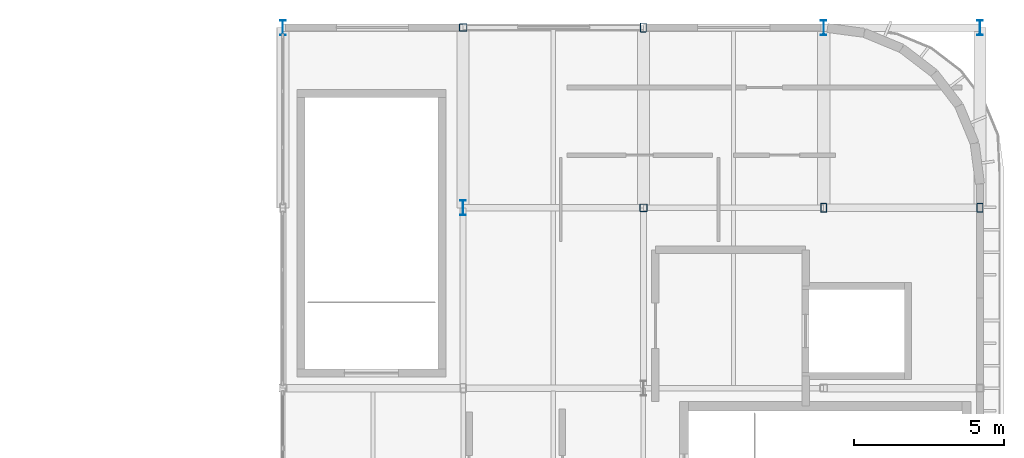
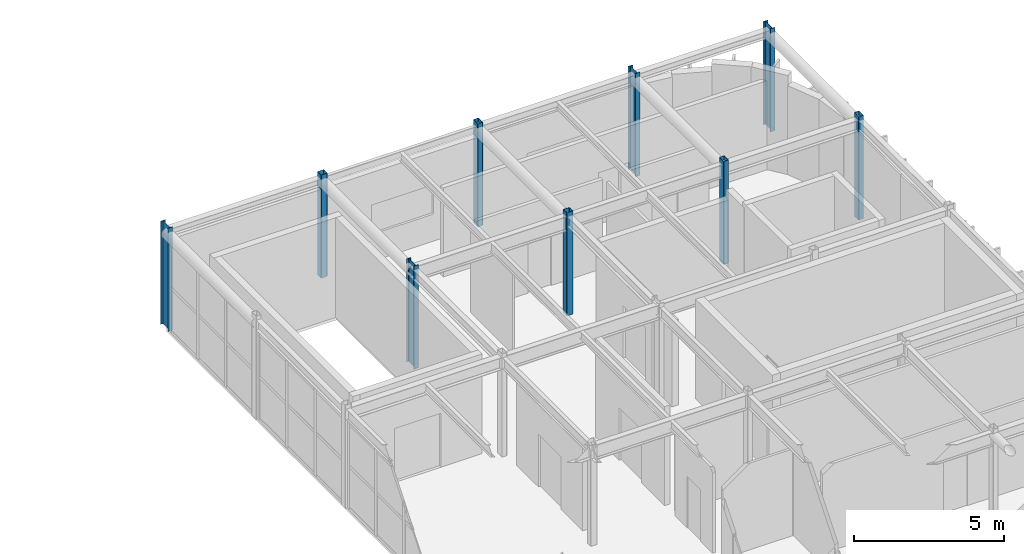
# One storey, part 3 of 14: 9 columns.
"""IFC4 building model written with IfcOpenShell, lengths in metres."""

from ifc_helpers import new_model, si_unit, direction, frame, origin, origin_2d, place, context, subcontext, project, spatial, hollow_rectangle, i_section, extrude, material, material_profile, profile_set, type_object, element, save


model = new_model("IFC4")

# Units and contexts
model_context = context("Model", 3, precision=1e-05, world=origin(), true_north=direction((0.0, 1.0)))
body_context = subcontext(model_context, "Body", "Model", "MODEL_VIEW")
ifc_project = project(units=[si_unit("LENGTHUNIT", "METRE"), si_unit("AREAUNIT", "SQUARE_METRE"), si_unit("VOLUMEUNIT", "CUBIC_METRE"), si_unit("PLANEANGLEUNIT", "RADIAN"), si_unit("MASSUNIT", "GRAM", prefix="KILO")], contexts=[model_context])

# Site, building, storey
site_placement = place(None, origin())
site = spatial("IfcSite", under=ifc_project, at=site_placement, CompositionType="ELEMENT")
building_placement = place(site_placement, origin())
building = spatial("IfcBuilding", under=site, at=building_placement, Name="Varnakota Square Police Headquarters", CompositionType="ELEMENT")
storey_placement = place(building_placement, frame((0.0, 0.0, 30.0)))
storey = spatial("IfcBuildingStorey", under=building, at=storey_placement, Name="L07", CompositionType="ELEMENT", Elevation=30.0)

# Columns
ifc_material = material(Name="Steel IS 2062 Grade 350", Category="steel")
ifc_material_profile_1 = material_profile(ifc_material, i_section(OverallWidth=0.179931640625, OverallDepth=0.5, WebThickness=0.01025390625, FlangeThickness=0.01708984375, FilletRadius=0.01708984375, at=origin_2d()), Name="ISMB 500")
ifc_profile_set_1 = profile_set([ifc_material_profile_1], Name="Steel IS 2062 Grade 350")
column_type_1 = type_object("IfcColumnType", Name="COL-ISMB500", PredefinedType="COLUMN", material=ifc_profile_set_1)
for number, where, z_axis, x_axis, name in (
    (1, (138.0, 39.0, 0.0), (0.0, 0.0, 1.0), (1.0, 0.0, 0.0), "Column X1380-Y0390 L07"),
    (2, (144.0, 33.0, 0.0), (0.0, 0.0, 1.0), (1.0, 0.0, 0.0), "Column X1440-Y0330 L07"),
    (3, (156.0, 39.0, 0.0), (0.0, 0.0, 1.0), (1.0, 0.0, 0.0), "Column X1560-Y0390 L07"),
    (4, (161.199951171875, 39.0, 0.0), (0.0, 0.0, 1.0), (1.0, 0.0, 0.0), "Column X1612-Y0390 L07"),
):
    element("IfcColumn", number, at=place(storey_placement, frame(where, z_axis=z_axis, x_axis=x_axis)), inside=storey, type_object=column_type_1, Name=name, PredefinedType="COLUMN", context=body_context, shape_type="SweptSolid", body=[
        extrude(i_section(OverallWidth=0.179931640625, OverallDepth=0.5, WebThickness=0.01025390625, FlangeThickness=0.01708984375, FilletRadius=0.01708984375, at=origin_2d()), origin(), (0.0, 0.0, 1.0), 4.199951171875),
    ])
ifc_material_profile_2 = material_profile(ifc_material, hollow_rectangle(XDim=0.199951171875, YDim=0.300048828125, WallThickness=0.011962890625, InnerFilletRadius=0.011962890625, OuterFilletRadius=0.02392578125, at=origin_2d()), Name="RHS 300x200x12")
ifc_profile_set_2 = profile_set([ifc_material_profile_2], Name="Steel IS 2062 Grade 350")
column_type_2 = type_object("IfcColumnType", Name="COL-RHS300", PredefinedType="COLUMN", material=ifc_profile_set_2)
for number, where, z_axis, x_axis, name in (
    (5, (150.0, 39.0, 0.0), (0.0, 0.0, 1.0), (1.0, 0.0, 0.0), "Column X1500-Y0390 L07"),
    (6, (156.0, 33.0, 0.0), (0.0, 0.0, 1.0), (1.0, 0.0, 0.0), "Column X1560-Y0330 L07"),
    (7, (161.199951171875, 33.0, 0.0), (0.0, 0.0, 1.0), (1.0, 0.0, 0.0), "Column X1612-Y0330 L07"),
):
    element("IfcColumn", number, at=place(storey_placement, frame(where, z_axis=z_axis, x_axis=x_axis)), inside=storey, type_object=column_type_2, Name=name, PredefinedType="COLUMN", context=body_context, shape_type="SweptSolid", body=[
        extrude(hollow_rectangle(XDim=0.199951171875, YDim=0.300048828125, WallThickness=0.011962890625, InnerFilletRadius=0.011962890625, OuterFilletRadius=0.02392578125, at=origin_2d()), origin(), (0.0, 0.0, 1.0), 4.199951171875),
    ])
ifc_material_profile_3 = material_profile(ifc_material, hollow_rectangle(XDim=0.25, YDim=0.25, WallThickness=0.011962890625, InnerFilletRadius=0.011962890625, OuterFilletRadius=0.02392578125, at=origin_2d()), Name="SHS 250x250x12")
ifc_profile_set_3 = profile_set([ifc_material_profile_3], Name="Steel IS 2062 Grade 350")
column_type_3 = type_object("IfcColumnType", Name="COL-SHS250", PredefinedType="COLUMN", material=ifc_profile_set_3)
for number, where, z_axis, x_axis, name in (
    (8, (144.0, 39.0, 0.0), (0.0, 0.0, 1.0), (1.0, 0.0, 0.0), "Column X1440-Y0390 L07"),
    (9, (150.0, 33.0, 0.0), (0.0, 0.0, 1.0), (1.0, 0.0, 0.0), "Column X1500-Y0330 L07"),
):
    element("IfcColumn", number, at=place(storey_placement, frame(where, z_axis=z_axis, x_axis=x_axis)), inside=storey, type_object=column_type_3, Name=name, PredefinedType="COLUMN", context=body_context, shape_type="SweptSolid", body=[
        extrude(hollow_rectangle(XDim=0.25, YDim=0.25, WallThickness=0.011962890625, InnerFilletRadius=0.011962890625, OuterFilletRadius=0.02392578125, at=origin_2d()), origin(), (0.0, 0.0, 1.0), 4.199951171875),
    ])

save(model, "model.ifc")
